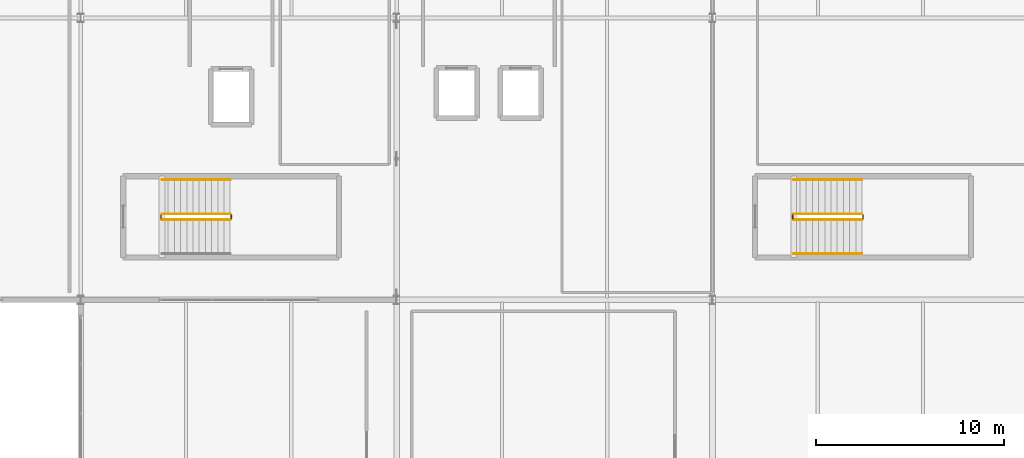
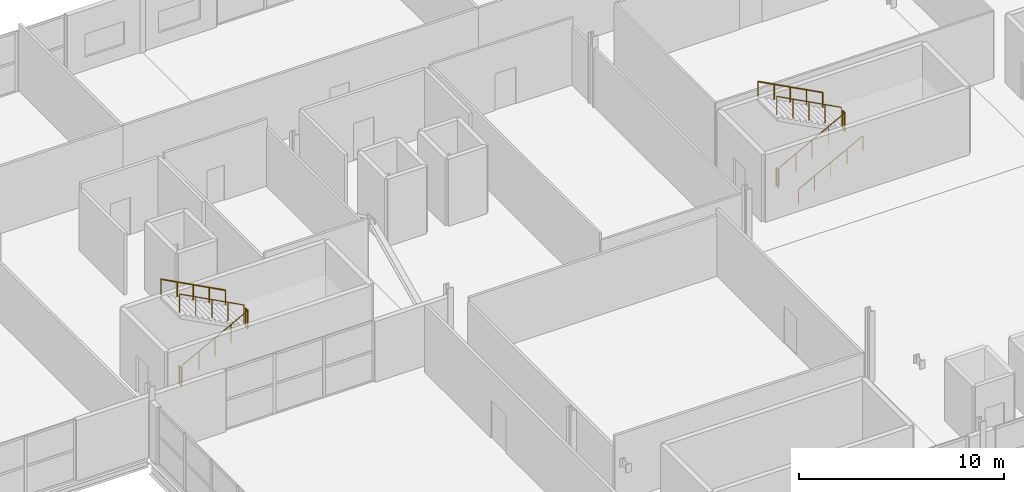
# One storey, part 36 of 39: 11 railings.
"""IFC4 building model written with IfcOpenShell, lengths in metres."""

from ifc_helpers import new_model, si_unit, direction, frame, origin, origin_2d, place, context, subcontext, project, spatial, circle, extrude, material, type_object, element, save


model = new_model("IFC4")

# Units and contexts
model_context = context("Model", 3, precision=1e-05, world=origin(), true_north=direction((0.0, 1.0)))
body_context = subcontext(model_context, "Body", "Model", "MODEL_VIEW")
ifc_project = project(units=[si_unit("LENGTHUNIT", "METRE"), si_unit("AREAUNIT", "SQUARE_METRE"), si_unit("VOLUMEUNIT", "CUBIC_METRE"), si_unit("PLANEANGLEUNIT", "RADIAN"), si_unit("MASSUNIT", "GRAM", prefix="KILO")], contexts=[model_context])

# Site, building, storey
site_placement = place(None, origin())
site = spatial("IfcSite", under=ifc_project, at=site_placement, CompositionType="ELEMENT")
building_placement = place(site_placement, origin())
building = spatial("IfcBuilding", under=site, at=building_placement, Name="Kimbaza Rail Terminus", CompositionType="ELEMENT")
storey_placement = place(building_placement, frame((0.0, 0.0, 16.800048828125)))
storey = spatial("IfcBuildingStorey", under=building, at=storey_placement, Name="L03", CompositionType="ELEMENT", Elevation=16.800048828125)

# Railings
ifc_material_1 = material(Name="Brushed stainless steel handrail", Category="steel")
railing_type_1 = type_object("IfcRailingType", Name="ARC-RL-HND92", PredefinedType="HANDRAIL", material=ifc_material_1)
railing_1_placement = place(storey_placement, frame((79.949951171875, 109.389892578125, 2.27490234375)))
element("IfcRailing", 1, at=railing_1_placement, inside=storey, type_object=railing_type_1, Name="L03 ST-W1 stair handrail 2", PredefinedType="HANDRAIL", context=body_context, shape_type="SweptSolid", body=[
    extrude(circle(Radius=0.02392578125, at=origin_2d()), frame((0.0, 0.0, 0.8759765625), z_axis=(-0.883450922709, 0.0, 0.468523710355), x_axis=(0.0, -1.0, 0.0)), (0.0, 0.0, 1.0), 4.108642578125),
    extrude(circle(Radius=0.02099609375, at=origin_2d()), origin(), (0.0, 0.0, 1.0), 0.851806640625),
    extrude(circle(Radius=0.02099609375, at=origin_2d()), frame((-0.907470703125, 0.0, 0.481201171875)), (0.0, 0.0, 1.0), 0.851806640625),
    extrude(circle(Radius=0.02099609375, at=origin_2d()), frame((-1.81494140625, 0.0, 0.96240234375)), (0.0, 0.0, 1.0), 0.851806640625),
    extrude(circle(Radius=0.02099609375, at=origin_2d()), frame((-2.722412109375, 0.0, 1.44384765625)), (0.0, 0.0, 1.0), 0.851806640625),
    extrude(circle(Radius=0.02099609375, at=origin_2d()), frame((-3.6298828125, 0.0, 1.925048828125)), (0.0, 0.0, 1.0), 0.851806640625),
])
railing_2_placement = place(storey_placement, frame((109.919921875, 105.449951171875, 0.175048828125)))
element("IfcRailing", 2, at=railing_2_placement, inside=storey, type_object=railing_type_1, Name="L03 ST-M1 stair handrail 1", PredefinedType="HANDRAIL", context=body_context, shape_type="SweptSolid", body=[
    extrude(circle(Radius=0.02392578125, at=origin_2d()), frame((0.0, 0.0, 0.8759765625), z_axis=(0.88348855723, 0.0, 0.468452739606), x_axis=(0.0, 1.0, 0.0)), (0.0, 0.0, 1.0), 4.10888671875),
    extrude(circle(Radius=0.02099609375, at=origin_2d()), origin(), (0.0, 0.0, 1.0), 0.851806640625),
    extrude(circle(Radius=0.02099609375, at=origin_2d()), frame((0.907470703125, 0.0, 0.481201171875)), (0.0, 0.0, 1.0), 0.851806640625),
    extrude(circle(Radius=0.02099609375, at=origin_2d()), frame((1.81494140625, 0.0, 0.96240234375)), (0.0, 0.0, 1.0), 0.851806640625),
    extrude(circle(Radius=0.02099609375, at=origin_2d()), frame((2.72265625, 0.0, 1.443603515625)), (0.0, 0.0, 1.0), 0.851806640625),
    extrude(circle(Radius=0.02099609375, at=origin_2d()), frame((3.630126953125, 0.0, 1.9248046875)), (0.0, 0.0, 1.0), 0.851806640625),
])
railing_3_placement = place(storey_placement, frame((113.550048828125, 109.389892578125, 2.27490234375)))
element("IfcRailing", 3, at=railing_3_placement, inside=storey, type_object=railing_type_1, Name="L03 ST-M1 stair handrail 2", PredefinedType="HANDRAIL", context=body_context, shape_type="SweptSolid", body=[
    extrude(circle(Radius=0.02392578125, at=origin_2d()), frame((0.0, 0.0, 0.8759765625), z_axis=(-0.883463965148, 0.0, 0.468499116632), x_axis=(0.0, -1.0, 0.0)), (0.0, 0.0, 1.0), 4.10888671875),
    extrude(circle(Radius=0.02099609375, at=origin_2d()), origin(), (0.0, 0.0, 1.0), 0.851806640625),
    extrude(circle(Radius=0.02099609375, at=origin_2d()), frame((-0.907470703125, 0.0, 0.481201171875)), (0.0, 0.0, 1.0), 0.851806640625),
    extrude(circle(Radius=0.02099609375, at=origin_2d()), frame((-1.81494140625, 0.0, 0.96240234375)), (0.0, 0.0, 1.0), 0.851806640625),
    extrude(circle(Radius=0.02099609375, at=origin_2d()), frame((-2.72265625, 0.0, 1.44384765625)), (0.0, 0.0, 1.0), 0.851806640625),
    extrude(circle(Radius=0.02099609375, at=origin_2d()), frame((-3.630126953125, 0.0, 1.925048828125)), (0.0, 0.0, 1.0), 0.851806640625),
])
ifc_material_2 = material(Name="Painted tubular steel stair well guard", Category="steel")
railing_type_2 = type_object("IfcRailingType", Name="ARC-RL-STGRD", PredefinedType="GUARDRAIL", material=ifc_material_2)
railing_4_placement = place(storey_placement, frame((76.320068359375, 107.27001953125, 0.175048828125)))
element("IfcRailing", 4, at=railing_4_placement, inside=storey, type_object=railing_type_2, Name="L03 ST-W1 stair guard 1", PredefinedType="GUARDRAIL", context=body_context, shape_type="SweptSolid", body=[
    extrude(circle(Radius=0.02392578125, at=origin_2d()), frame((0.0, 0.0, 1.09619140625), z_axis=(0.883475517009, 0.0, 0.468477332264), x_axis=(0.0, 1.0, 0.0)), (0.0, 0.0, 1.0), 4.108642578125),
    extrude(circle(Radius=0.02099609375, at=origin_2d()), origin(), (0.0, 0.0, 1.0), 1.072021484375),
    extrude(circle(Radius=0.02099609375, at=origin_2d()), frame((0.907470703125, 0.0, 0.481201171875)), (0.0, 0.0, 1.0), 1.072021484375),
    extrude(circle(Radius=0.02099609375, at=origin_2d()), frame((1.81494140625, 0.0, 0.96240234375)), (0.0, 0.0, 1.0), 1.072021484375),
    extrude(circle(Radius=0.02099609375, at=origin_2d()), frame((2.722412109375, 0.0, 1.443603515625)), (0.0, 0.0, 1.0), 1.072021484375),
    extrude(circle(Radius=0.02099609375, at=origin_2d()), frame((3.6298828125, 0.0, 1.9248046875)), (0.0, 0.0, 1.0), 1.072021484375),
])
railing_5_placement = place(storey_placement, frame((80.0, 107.320068359375, 2.099853515625)))
element("IfcRailing", 5, at=railing_5_placement, inside=storey, type_object=railing_type_2, Name="L03 ST-W1 stair guard 2", PredefinedType="GUARDRAIL", context=body_context, shape_type="SweptSolid", body=[
    extrude(circle(Radius=0.02392578125, at=origin_2d()), frame((0.0, 0.0, 1.09619140625), z_axis=(0.0, 1.0, 0.0), x_axis=(-1.0, 0.0, 0.0)), (0.0, 0.0, 1.0), 0.199951171875),
    extrude(circle(Radius=0.02099609375, at=origin_2d()), origin(), (0.0, 0.0, 1.0), 1.072021484375),
    extrude(circle(Radius=0.02099609375, at=origin_2d()), frame((0.0, 0.199951171875, 0.0)), (0.0, 0.0, 1.0), 1.072021484375),
])
railing_6_placement = place(storey_placement, frame((79.949951171875, 107.570068359375, 2.27490234375)))
element("IfcRailing", 6, at=railing_6_placement, inside=storey, type_object=railing_type_2, Name="L03 ST-W1 stair guard 3", PredefinedType="GUARDRAIL", context=body_context, shape_type="SweptSolid", body=[
    extrude(circle(Radius=0.02392578125, at=origin_2d()), frame((0.0, 0.0, 1.09619140625), z_axis=(-0.883450922709, 0.0, 0.468523710355), x_axis=(0.0, -1.0, 0.0)), (0.0, 0.0, 1.0), 4.108642578125),
    extrude(circle(Radius=0.02099609375, at=origin_2d()), origin(), (0.0, 0.0, 1.0), 1.072021484375),
    extrude(circle(Radius=0.02099609375, at=origin_2d()), frame((-0.907470703125, 0.0, 0.481201171875)), (0.0, 0.0, 1.0), 1.072021484375),
    extrude(circle(Radius=0.02099609375, at=origin_2d()), frame((-1.81494140625, 0.0, 0.96240234375)), (0.0, 0.0, 1.0), 1.072021484375),
    extrude(circle(Radius=0.02099609375, at=origin_2d()), frame((-2.722412109375, 0.0, 1.44384765625)), (0.0, 0.0, 1.0), 1.072021484375),
    extrude(circle(Radius=0.02099609375, at=origin_2d()), frame((-3.6298828125, 0.0, 1.925048828125)), (0.0, 0.0, 1.0), 1.072021484375),
])
railing_7_placement = place(storey_placement, frame((76.27001953125, 107.320068359375, 0.0)))
element("IfcRailing", 7, at=railing_7_placement, inside=storey, type_object=railing_type_2, Name="L03 ST-W1 stair guard 4", PredefinedType="GUARDRAIL", context=body_context, shape_type="SweptSolid", body=[
    extrude(circle(Radius=0.02392578125, at=origin_2d()), frame((0.0, 0.0, 1.09619140625), z_axis=(0.0, 1.0, 0.0), x_axis=(-1.0, 0.0, 0.0)), (0.0, 0.0, 1.0), 0.199951171875),
    extrude(circle(Radius=0.02099609375, at=origin_2d()), origin(), (0.0, 0.0, 1.0), 1.072021484375),
    extrude(circle(Radius=0.02099609375, at=origin_2d()), frame((0.0, 0.199951171875, 0.0)), (0.0, 0.0, 1.0), 1.072021484375),
])
railing_8_placement = place(storey_placement, frame((109.919921875, 107.27001953125, 0.175048828125)))
element("IfcRailing", 8, at=railing_8_placement, inside=storey, type_object=railing_type_2, Name="L03 ST-M1 stair guard 1", PredefinedType="GUARDRAIL", context=body_context, shape_type="SweptSolid", body=[
    extrude(circle(Radius=0.02392578125, at=origin_2d()), frame((0.0, 0.0, 1.09619140625), z_axis=(0.88348855723, 0.0, 0.468452739606), x_axis=(0.0, 1.0, 0.0)), (0.0, 0.0, 1.0), 4.10888671875),
    extrude(circle(Radius=0.02099609375, at=origin_2d()), origin(), (0.0, 0.0, 1.0), 1.072021484375),
    extrude(circle(Radius=0.02099609375, at=origin_2d()), frame((0.907470703125, 0.0, 0.481201171875)), (0.0, 0.0, 1.0), 1.072021484375),
    extrude(circle(Radius=0.02099609375, at=origin_2d()), frame((1.81494140625, 0.0, 0.96240234375)), (0.0, 0.0, 1.0), 1.072021484375),
    extrude(circle(Radius=0.02099609375, at=origin_2d()), frame((2.72265625, 0.0, 1.443603515625)), (0.0, 0.0, 1.0), 1.072021484375),
    extrude(circle(Radius=0.02099609375, at=origin_2d()), frame((3.630126953125, 0.0, 1.9248046875)), (0.0, 0.0, 1.0), 1.072021484375),
])
railing_9_placement = place(storey_placement, frame((113.60009765625, 107.320068359375, 2.099853515625)))
element("IfcRailing", 9, at=railing_9_placement, inside=storey, type_object=railing_type_2, Name="L03 ST-M1 stair guard 2", PredefinedType="GUARDRAIL", context=body_context, shape_type="SweptSolid", body=[
    extrude(circle(Radius=0.02392578125, at=origin_2d()), frame((0.0, 0.0, 1.09619140625), z_axis=(0.0, 1.0, 0.0), x_axis=(-1.0, 0.0, 0.0)), (0.0, 0.0, 1.0), 0.199951171875),
    extrude(circle(Radius=0.02099609375, at=origin_2d()), origin(), (0.0, 0.0, 1.0), 1.072021484375),
    extrude(circle(Radius=0.02099609375, at=origin_2d()), frame((0.0, 0.199951171875, 0.0)), (0.0, 0.0, 1.0), 1.072021484375),
])
railing_10_placement = place(storey_placement, frame((113.550048828125, 107.570068359375, 2.27490234375)))
element("IfcRailing", 10, at=railing_10_placement, inside=storey, type_object=railing_type_2, Name="L03 ST-M1 stair guard 3", PredefinedType="GUARDRAIL", context=body_context, shape_type="SweptSolid", body=[
    extrude(circle(Radius=0.02392578125, at=origin_2d()), frame((0.0, 0.0, 1.09619140625), z_axis=(-0.883463965148, 0.0, 0.468499116632), x_axis=(0.0, -1.0, 0.0)), (0.0, 0.0, 1.0), 4.10888671875),
    extrude(circle(Radius=0.02099609375, at=origin_2d()), origin(), (0.0, 0.0, 1.0), 1.072021484375),
    extrude(circle(Radius=0.02099609375, at=origin_2d()), frame((-0.907470703125, 0.0, 0.481201171875)), (0.0, 0.0, 1.0), 1.072021484375),
    extrude(circle(Radius=0.02099609375, at=origin_2d()), frame((-1.81494140625, 0.0, 0.96240234375)), (0.0, 0.0, 1.0), 1.072021484375),
    extrude(circle(Radius=0.02099609375, at=origin_2d()), frame((-2.72265625, 0.0, 1.44384765625)), (0.0, 0.0, 1.0), 1.072021484375),
    extrude(circle(Radius=0.02099609375, at=origin_2d()), frame((-3.630126953125, 0.0, 1.925048828125)), (0.0, 0.0, 1.0), 1.072021484375),
])
railing_11_placement = place(storey_placement, frame((109.8701171875, 107.320068359375, 0.0)))
element("IfcRailing", 11, at=railing_11_placement, inside=storey, type_object=railing_type_2, Name="L03 ST-M1 stair guard 4", PredefinedType="GUARDRAIL", context=body_context, shape_type="SweptSolid", body=[
    extrude(circle(Radius=0.02392578125, at=origin_2d()), frame((0.0, 0.0, 1.09619140625), z_axis=(0.0, 1.0, 0.0), x_axis=(-1.0, 0.0, 0.0)), (0.0, 0.0, 1.0), 0.199951171875),
    extrude(circle(Radius=0.02099609375, at=origin_2d()), origin(), (0.0, 0.0, 1.0), 1.072021484375),
    extrude(circle(Radius=0.02099609375, at=origin_2d()), frame((0.0, 0.199951171875, 0.0)), (0.0, 0.0, 1.0), 1.072021484375),
])

save(model, "model.ifc")
